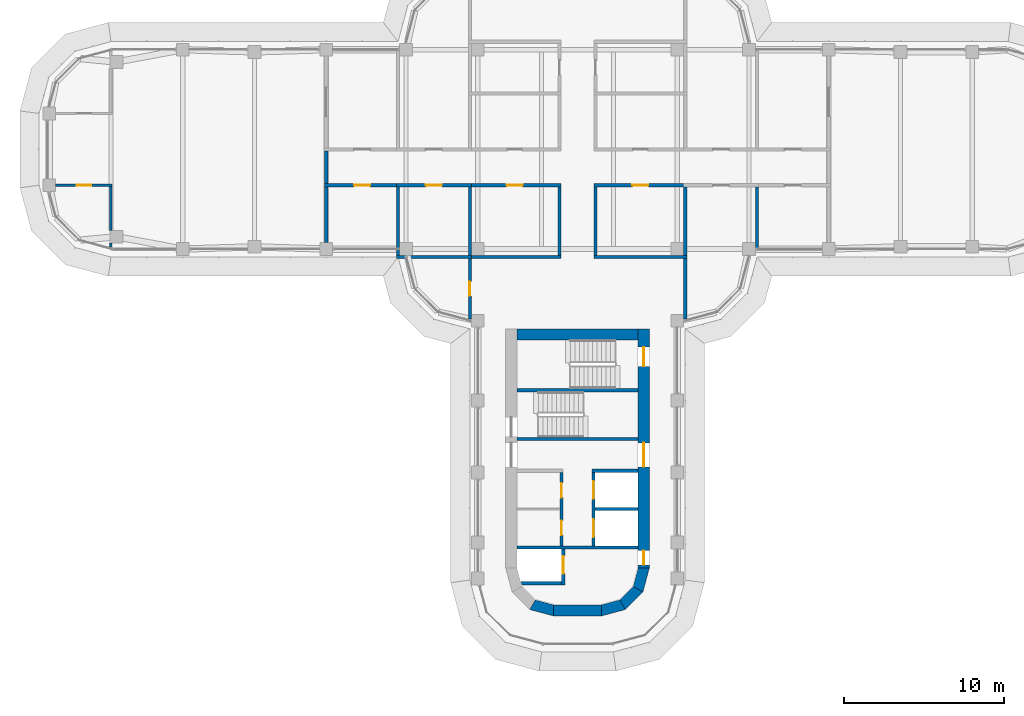
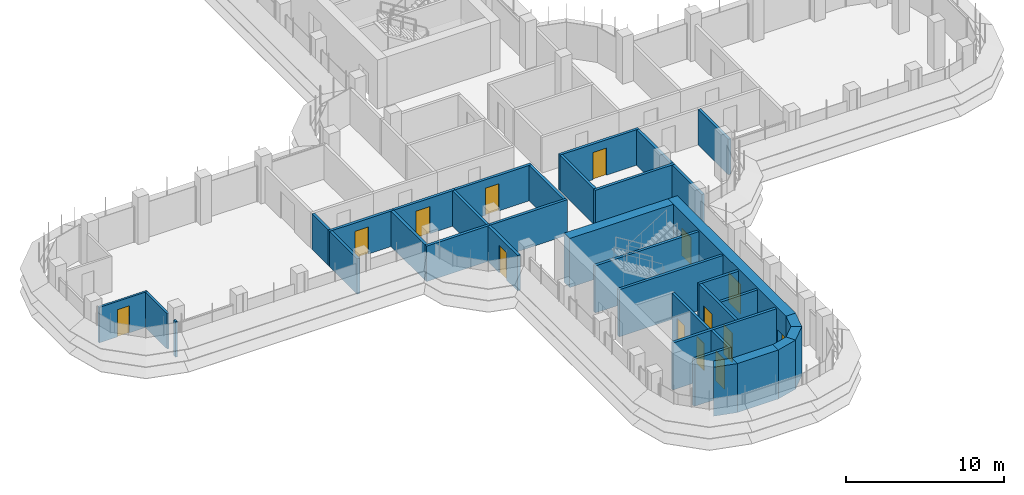
# One storey, part 13 of 19: 36 walls, 14 doors, 14 openings.
"""IFC4 building model written with IfcOpenShell, lengths in metres."""

import ifcopenshell
import ifcopenshell.guid

model = None  # the IFC model being written
_history = None  # IfcOwnerHistory: only IFC2X3 demands one
_inside = {}  # id of a spatial element -> (the spatial element, [elements in it])
_under = {}  # id of a project, library or spatial element -> (it, [spatial elements below it])
_declared = {}  # id of a project -> (the project, [libraries it declares])
_typed = {}  # id of a type object -> (the type object, [elements of that type])
_made_of = {}  # id of a material, layer set ... -> (it, [elements and type objects made of it])


def new_model(schema):
    """Start an empty IFC model of exactly this schema.

    Asked for "IFC4X3", IfcOpenShell would pick the latest addendum, in which some entities
    have other attributes; the version numbers below select the first issue.
    IFC2X3 requires an IfcOwnerHistory on every rooted entity: one is made here for all.
    """
    global model, _history
    if schema == "IFC4X3":
        model = ifcopenshell.file(schema_version=(4, 3, 0, 0))
    else:
        model = ifcopenshell.file(schema=schema)
    _inside.clear()
    _under.clear()
    _declared.clear()
    _typed.clear()
    _made_of.clear()
    _history = None
    if model.schema == "IFC2X3":
        org = make("IfcOrganization", Name="unknown")
        user = make(
            "IfcPersonAndOrganization",
            ThePerson=make("IfcPerson", FamilyName="unknown"),
            TheOrganization=org,
        )
        app = make(
            "IfcApplication",
            ApplicationDeveloper=org,
            Version="unknown",
            ApplicationFullName="unknown",
            ApplicationIdentifier="unknown",
        )
        _history = make(
            "IfcOwnerHistory",
            OwningUser=user,
            OwningApplication=app,
            ChangeAction="ADDED",
            CreationDate=0,
        )
    return model


def make(cls, **values):
    """One entity of the class cls with the attributes given. An attribute that is None is left unset."""
    return model.create_entity(
        cls, **{name: value for name, value in values.items() if value is not None}
    )


def rooted(cls, **values):
    """An entity with a GlobalId (a new one), such as an element, a storey or a relation."""
    return make(cls, GlobalId=ifcopenshell.guid.new(), OwnerHistory=_history, **values)


def si_unit(unit_type, name, prefix=None):
    """IfcSIUnit, for example si_unit("LENGTHUNIT", "METRE", prefix="MILLI")."""
    return make("IfcSIUnit", UnitType=unit_type, Prefix=prefix, Name=name)


def assignment(units):
    """IfcUnitAssignment: the units of a project."""
    return None if units is None else make("IfcUnitAssignment", Units=units)


def point(xyz):
    """IfcCartesianPoint."""
    return None if xyz is None else make("IfcCartesianPoint", Coordinates=xyz)


def direction(xyz):
    """IfcDirection."""
    return None if xyz is None else make("IfcDirection", DirectionRatios=xyz)


def frame(location, z_axis=None, x_axis=None):
    """IfcAxis2Placement3D, a coordinate frame: its origin and axes. An axis left out is left unset."""
    return make(
        "IfcAxis2Placement3D",
        Location=point(location),
        Axis=direction(z_axis),
        RefDirection=direction(x_axis),
    )


def frame_2d(location, x_axis=None):
    """IfcAxis2Placement2D, a coordinate frame in the plane: its origin and x axis."""
    return make(
        "IfcAxis2Placement2D", Location=point(location), RefDirection=direction(x_axis)
    )


def origin():
    """The frame at (0, 0, 0) with its axes left unset."""
    return frame((0.0, 0.0, 0.0))


def place(relative_to, where):
    """IfcLocalPlacement: puts the frame where relative to a parent placement (None: the world)."""
    return make(
        "IfcLocalPlacement", PlacementRelTo=relative_to, RelativePlacement=where
    )


def context(
    kind, dimensions, precision=None, world=None, true_north=None, identifier=None
):
    """IfcGeometricRepresentationContext, for example the 3D "Model" context."""
    return make(
        "IfcGeometricRepresentationContext",
        ContextIdentifier=identifier,
        ContextType=kind,
        CoordinateSpaceDimension=dimensions,
        Precision=precision,
        WorldCoordinateSystem=world,
        TrueNorth=true_north,
    )


def subcontext(parent, identifier, kind, view, scale=None):
    """IfcGeometricRepresentationSubContext, for example "Body" below "Model"."""
    return make(
        "IfcGeometricRepresentationSubContext",
        ContextIdentifier=identifier,
        ContextType=kind,
        ParentContext=parent,
        TargetScale=scale,
        TargetView=view,
    )


def project(units=None, contexts=None):
    """IfcProject with its units and contexts."""
    return rooted(
        "IfcProject",
        Name="project",
        RepresentationContexts=contexts,
        UnitsInContext=assignment(units),
    )


def spatial(cls, under=None, at=None, **own):
    """A site, building, storey or space (cls), placed at a placement, below another one or the project."""
    s = rooted(cls, ObjectPlacement=at, **own)
    if under is not None:
        _under.setdefault(under.id(), (under, []))[1].append(s)
    return s


def polyline(points):
    """IfcPolyline through the points."""
    return make("IfcPolyline", Points=[point(p) for p in points])


def profile(cls, at=None, kind="AREA", **sizes):
    """A parametric profile (cls). Its sizes go by their IFC names, for example OverallWidth=200.0."""
    return make(cls, ProfileType=kind, Position=at, **sizes)


def rectangle(**sizes):
    """IfcRectangleProfileDef."""
    return profile("IfcRectangleProfileDef", **sizes)


def outline(outer, holes=None, kind="AREA"):
    """IfcArbitraryClosedProfileDef: a profile drawn as a closed curve; with holes, ...WithVoids."""
    if holes is None:
        return make("IfcArbitraryClosedProfileDef", ProfileType=kind, OuterCurve=outer)
    return make(
        "IfcArbitraryProfileDefWithVoids",
        ProfileType=kind,
        OuterCurve=outer,
        InnerCurves=holes,
    )


def extrude(swept, where, along, depth):
    """IfcExtrudedAreaSolid: the profile swept, set in the frame where, extruded along a direction by depth."""
    return make(
        "IfcExtrudedAreaSolid",
        SweptArea=swept,
        Position=where,
        ExtrudedDirection=direction(along),
        Depth=depth,
    )


def shape(context_of_items, identifier, shape_type, items):
    """IfcShapeRepresentation: the items that make up one representation, for example the "Body"."""
    return make(
        "IfcShapeRepresentation",
        ContextOfItems=context_of_items,
        RepresentationIdentifier=identifier,
        RepresentationType=shape_type,
        Items=items,
    )


def material(Name=None, Category=None):
    """IfcMaterial."""
    return make("IfcMaterial", Name=Name, Category=Category)


def layer(
    of_material, thickness, ventilated=None, Name=None, Category=None, Priority=None
):
    """IfcMaterialLayer: one layer of a wall or slab, of a material (None: an air gap)."""
    return make(
        "IfcMaterialLayer",
        Material=of_material,
        LayerThickness=thickness,
        IsVentilated=ventilated,
        Name=Name,
        Category=Category,
        Priority=Priority,
    )


def layer_set(layers, Name=None):
    """IfcMaterialLayerSet."""
    return make("IfcMaterialLayerSet", MaterialLayers=layers, LayerSetName=Name)


def made_of(thing, what):
    """Note that an element or type object is made of a material, layer set ...; save() writes the relation."""
    if what is not None:
        _made_of.setdefault(what.id(), (what, []))[1].append(thing)
    return thing


def type_object(cls, material=None, **own):
    """A type object (cls), such as IfcWallType, which elements share."""
    return made_of(rooted(cls, **own), material)


def element(
    cls,
    number,
    at=None,
    inside=None,
    cuts=None,
    type_object=None,
    material=None,
    context=None,
    identifier="Body",
    shape_type=None,
    held_by="IfcProductDefinitionShape",
    body=None,
    shapes=None,
    **own,
):
    """One element of the class cls, such as IfcWall. Its Tag is "e" and its number.

    at: its placement. inside: the storey or other place that contains it. cuts: it is an
    opening in that element (IfcRelVoidsElement). A single representation is given by context,
    identifier, shape_type and body (its items); several are given by shapes. held_by: the class
    of the entity that holds the representations. save() writes the other relations.
    """
    e = rooted(cls, Tag="e%d" % number, ObjectPlacement=at, **own)
    if body is not None:
        shapes = [shape(context, identifier, shape_type, body)]
    if shapes is not None:
        e.Representation = make(held_by, Representations=shapes)
    if inside is not None:
        _inside.setdefault(inside.id(), (inside, []))[1].append(e)
    if cuts is not None:
        rooted(
            "IfcRelVoidsElement", RelatingBuildingElement=cuts, RelatedOpeningElement=e
        )
    if type_object is not None:
        _typed.setdefault(type_object.id(), (type_object, []))[1].append(e)
    return made_of(e, material)


def fill(opening, filler):
    """IfcRelFillsElement: the door or window that sits in an opening."""
    return rooted(
        "IfcRelFillsElement",
        RelatingOpeningElement=opening,
        RelatedBuildingElement=filler,
    )


def aggregate(whole, parts):
    """IfcRelAggregates: a whole, such as a stair, and the parts it consists of."""
    return rooted("IfcRelAggregates", RelatingObject=whole, RelatedObjects=parts)


def save(model, path):
    """Write the relations noted so far, then the file.

    IfcRelAggregates (storeys below a building ...), IfcRelContainedInSpatialStructure (elements
    in a storey), IfcRelDefinesByType, IfcRelAssociatesMaterial and IfcRelDeclares: one each for
    every whole, place, type object, material and project.
    """
    for whole, parts in _under.values():
        aggregate(whole, parts)
    for where, things in _inside.values():
        rooted(
            "IfcRelContainedInSpatialStructure",
            RelatedElements=things,
            RelatingStructure=where,
        )
    for kind, things in _typed.values():
        rooted("IfcRelDefinesByType", RelatedObjects=things, RelatingType=kind)
    for what, things in _made_of.values():
        rooted("IfcRelAssociatesMaterial", RelatedObjects=things, RelatingMaterial=what)
    for by, libraries in _declared.values():
        rooted("IfcRelDeclares", RelatingContext=by, RelatedDefinitions=libraries)
    model.write(path)


model = new_model("IFC4")

# Units and contexts
model_context = context("Model", 3, precision=1e-05, world=origin(), true_north=direction((0.0, 1.0)))
body_context = subcontext(model_context, "Body", "Model", "MODEL_VIEW")
ifc_project = project(units=[si_unit("LENGTHUNIT", "METRE"), si_unit("AREAUNIT", "SQUARE_METRE"), si_unit("VOLUMEUNIT", "CUBIC_METRE"), si_unit("PLANEANGLEUNIT", "RADIAN"), si_unit("MASSUNIT", "GRAM", prefix="KILO")], contexts=[model_context])

# Site, building, storey
site_placement = place(None, origin())
site = spatial("IfcSite", under=ifc_project, at=site_placement, CompositionType="ELEMENT")
building_placement = place(site_placement, origin())
building = spatial("IfcBuilding", under=site, at=building_placement, Name="Zarbagh Exchange Tower", CompositionType="ELEMENT")
storey_placement = place(building_placement, frame((0.0, 0.0, 160.0)))
storey = spatial("IfcBuildingStorey", under=building, at=storey_placement, Name="L38", CompositionType="ELEMENT", Elevation=160.0)

# Walls
ifc_material_1 = material(Name="Plasterboard partition")
ifc_layer_1 = layer(ifc_material_1, 0.14990234375)
ifc_layer_set_1 = layer_set([ifc_layer_1], Name="PARTITION 150")
wall_type_1 = type_object("IfcWallType", Name="PARTITION 150", PredefinedType="PARTITIONING", material=ifc_layer_set_1)
wall_1_placement = place(storey_placement, frame((-29.25, -6.1298828125, 0.0), z_axis=(0.0, 0.0, 1.0), x_axis=(0.0, 1.0, 0.0)))
element("IfcWall", 1, at=wall_1_placement, inside=storey, type_object=wall_type_1, Name="Partition W-1749", PredefinedType="PARTITIONING", context=body_context, shape_type="SweptSolid", body=[
    extrude(rectangle(XDim=0.2548828125, YDim=0.14990234375, at=frame_2d((0.12744140625, 0.0))), origin(), (0.0, 0.0, 1.0), 2.75),
])
wall_2_placement = place(storey_placement, frame((-29.25, -5.074951171875, 0.0), z_axis=(0.0, 0.0, 1.0), x_axis=(0.0, 1.0, 0.0)))
element("IfcWall", 2, at=wall_2_placement, inside=storey, type_object=wall_type_1, Name="Partition W-1750", PredefinedType="PARTITIONING", context=body_context, shape_type="SweptSolid", body=[
    extrude(rectangle(XDim=2.75, YDim=0.14990234375, at=frame_2d((1.375, 0.0))), origin(), (0.0, 0.0, 1.0), 2.75),
])

# Wall, opening, door
wall_3_placement = place(storey_placement, frame((-29.175048828125, -2.25, 0.0), z_axis=(0.0, 0.0, 1.0), x_axis=(-1.0, 0.0, 0.0)))
wall_3 = element("IfcWall", 3, at=wall_3_placement, inside=storey, type_object=wall_type_1, Name="Partition W-1751", PredefinedType="PARTITIONING", context=body_context, shape_type="SweptSolid", body=[
    extrude(rectangle(XDim=3.534912109375, YDim=0.14990234375, at=frame_2d((1.767578125, 0.0))), origin(), (0.0, 0.0, 1.0), 2.75),
])
opening_1_placement = place(wall_3_placement, frame((1.3173828125, 0.0, 0.0)))
opening_1 = element("IfcOpeningElement", 4, at=opening_1_placement, cuts=wall_3, Name="Opening D-1716", PredefinedType="OPENING", context=body_context, shape_type="SweptSolid", body=[
    extrude(rectangle(XDim=0.89990234375, YDim=2.10009765625, at=frame_2d((0.449951171875, 1.050048828125))), frame((0.0, 0.0849609375, 0.0), z_axis=(0.0, -1.0, 0.0), x_axis=(1.0, 0.0, 0.0)), (0.0, 0.0, 1.0), 0.169921875),
])
ifc_material_2 = material(Name="Timber door leaf", Category="wood")
door_type_1 = type_object("IfcDoorType", Name="DOOR 900 X 2100", OperationType="NOTDEFINED", PredefinedType="DOOR", material=ifc_material_2)
door_1_placement = place(opening_1_placement, origin())
door_1 = element("IfcDoor", 5, at=door_1_placement, inside=storey, type_object=door_type_1, Name="Door D-1716", OperationType="SINGLE_SWING_RIGHT", OverallHeight=2.10009765625, OverallWidth=0.89990234375, PredefinedType="DOOR", context=body_context, shape_type="SweptSolid", body=[
    extrude(rectangle(XDim=0.89990234375, YDim=2.10009765625, at=frame_2d((0.449951171875, 1.050048828125))), frame((0.0, 0.02490234375, 0.0), z_axis=(0.0, -1.0, 0.0), x_axis=(1.0, 0.0, 0.0)), (0.0, 0.0, 1.0), 0.050048828125),
])
fill(opening_1, door_1)

ifc_material_3 = material(Name="Fire-rated plasterboard partition")
ifc_layer_2 = layer(ifc_material_3, 0.199951171875)
ifc_layer_set_2 = layer_set([ifc_layer_2], Name="RATED PARTITION 200")
wall_type_2 = type_object("IfcWallType", Name="RATED PARTITION 200", PredefinedType="PARTITIONING", material=ifc_layer_set_2)
wall_4_placement = place(storey_placement, frame((6.85009765625, -2.25, 0.0), z_axis=(0.0, 0.0, 1.0), x_axis=(-1.0, 0.0, 0.0)))
wall_4 = element("IfcWall", 6, at=wall_4_placement, inside=storey, type_object=wall_type_2, Name="Partition W-1705", PredefinedType="PARTITIONING", context=body_context, shape_type="SweptSolid", body=[
    extrude(rectangle(XDim=5.8251953125, YDim=0.199951171875, at=frame_2d((2.91259765625, 0.0))), origin(), (0.0, 0.0, 1.0), 2.75),
])
opening_2_placement = place(wall_4_placement, frame((2.41259765625, 0.0, 0.0)))
opening_2 = element("IfcOpeningElement", 7, at=opening_2_placement, cuts=wall_4, Name="Opening D-1710", PredefinedType="OPENING", context=body_context, shape_type="SweptSolid", body=[
    extrude(rectangle(XDim=1.0, YDim=2.10009765625, at=frame_2d((0.5, 1.050048828125))), frame((0.0, 0.10986328125, 0.0), z_axis=(0.0, -1.0, 0.0), x_axis=(1.0, 0.0, 0.0)), (0.0, 0.0, 1.0), 0.219970703125),
])
ifc_material_4 = material(Name="Steel door set", Category="steel")
door_type_2 = type_object("IfcDoorType", Name="FIRE DOOR 1000 X 2100 FD30S", OperationType="NOTDEFINED", PredefinedType="DOOR", material=ifc_material_4)
door_2_placement = place(opening_2_placement, origin())
door_2 = element("IfcDoor", 8, at=door_2_placement, inside=storey, type_object=door_type_2, Name="Door D-1710", OperationType="SINGLE_SWING_RIGHT", OverallHeight=2.10009765625, OverallWidth=1.0, PredefinedType="DOOR", context=body_context, shape_type="SweptSolid", body=[
    extrude(rectangle(XDim=1.0, YDim=2.10009765625, at=frame_2d((0.5, 1.050048828125))), frame((0.0, 0.02490234375, 0.0), z_axis=(0.0, -1.0, 0.0), x_axis=(1.0, 0.0, 0.0)), (0.0, 0.0, 1.0), 0.050048828125),
])
fill(opening_2, door_2)

wall_5_placement = place(storey_placement, frame((-1.02490234375, -2.25, 0.0), z_axis=(0.0, 0.0, 1.0), x_axis=(-1.0, 0.0, 0.0)))
wall_5 = element("IfcWall", 9, at=wall_5_placement, inside=storey, type_object=wall_type_2, Name="Partition W-1707", PredefinedType="PARTITIONING", context=body_context, shape_type="SweptSolid", body=[
    extrude(rectangle(XDim=5.8251953125, YDim=0.199951171875, at=frame_2d((2.91259765625, 0.0))), origin(), (0.0, 0.0, 1.0), 2.75),
])
opening_3_placement = place(wall_5_placement, frame((2.41259765625, 0.0, 0.0)))
opening_3 = element("IfcOpeningElement", 10, at=opening_3_placement, cuts=wall_5, Name="Opening D-1712", PredefinedType="OPENING", context=body_context, shape_type="SweptSolid", body=[
    extrude(rectangle(XDim=1.0, YDim=2.10009765625, at=frame_2d((0.5, 1.050048828125))), frame((0.0, 0.10986328125, 0.0), z_axis=(0.0, -1.0, 0.0), x_axis=(1.0, 0.0, 0.0)), (0.0, 0.0, 1.0), 0.219970703125),
])
door_3_placement = place(opening_3_placement, origin())
door_3 = element("IfcDoor", 11, at=door_3_placement, inside=storey, type_object=door_type_2, Name="Door D-1712", OperationType="SINGLE_SWING_RIGHT", OverallHeight=2.10009765625, OverallWidth=1.0, PredefinedType="DOOR", context=body_context, shape_type="SweptSolid", body=[
    extrude(rectangle(XDim=1.0, YDim=2.10009765625, at=frame_2d((0.5, 1.050048828125))), frame((0.0, 0.02490234375, 0.0), z_axis=(0.0, -1.0, 0.0), x_axis=(1.0, 0.0, 0.0)), (0.0, 0.0, 1.0), 0.050048828125),
])
fill(opening_3, door_3)

wall_6_placement = place(storey_placement, frame((-6.64990234375, -2.25, 0.0), z_axis=(0.0, 0.0, 1.0), x_axis=(-1.0, 0.0, 0.0)))
wall_6 = element("IfcWall", 12, at=wall_6_placement, inside=storey, type_object=wall_type_2, Name="Partition W-1708", PredefinedType="PARTITIONING", context=body_context, shape_type="SweptSolid", body=[
    extrude(rectangle(XDim=4.7001953125, YDim=0.199951171875, at=frame_2d((2.35009765625, 0.0))), origin(), (0.0, 0.0, 1.0), 2.75),
])
opening_4_placement = place(wall_6_placement, frame((1.85009765625, 0.0, 0.0)))
opening_4 = element("IfcOpeningElement", 13, at=opening_4_placement, cuts=wall_6, Name="Opening D-1713", PredefinedType="OPENING", context=body_context, shape_type="SweptSolid", body=[
    extrude(rectangle(XDim=1.0, YDim=2.10009765625, at=frame_2d((0.5, 1.050048828125))), frame((0.0, 0.10986328125, 0.0), z_axis=(0.0, -1.0, 0.0), x_axis=(1.0, 0.0, 0.0)), (0.0, 0.0, 1.0), 0.219970703125),
])
door_4_placement = place(opening_4_placement, origin())
door_4 = element("IfcDoor", 14, at=door_4_placement, inside=storey, type_object=door_type_2, Name="Door D-1713", OperationType="SINGLE_SWING_RIGHT", OverallHeight=2.10009765625, OverallWidth=1.0, PredefinedType="DOOR", context=body_context, shape_type="SweptSolid", body=[
    extrude(rectangle(XDim=1.0, YDim=2.10009765625, at=frame_2d((0.5, 1.050048828125))), frame((0.0, 0.02490234375, 0.0), z_axis=(0.0, -1.0, 0.0), x_axis=(1.0, 0.0, 0.0)), (0.0, 0.0, 1.0), 0.050048828125),
])
fill(opening_4, door_4)

wall_7_placement = place(storey_placement, frame((-11.14990234375, -2.25, 0.0), z_axis=(0.0, 0.0, 1.0), x_axis=(-1.0, 0.0, 0.0)))
wall_7 = element("IfcWall", 15, at=wall_7_placement, inside=storey, type_object=wall_type_2, Name="Partition W-1713", PredefinedType="PARTITIONING", context=body_context, shape_type="SweptSolid", body=[
    extrude(rectangle(XDim=4.7001953125, YDim=0.199951171875, at=frame_2d((2.35009765625, 0.0))), origin(), (0.0, 0.0, 1.0), 2.75),
])
opening_5_placement = place(wall_7_placement, frame((1.85009765625, 0.0, 0.0)))
opening_5 = element("IfcOpeningElement", 16, at=opening_5_placement, cuts=wall_7, Name="Opening D-1719", PredefinedType="OPENING", context=body_context, shape_type="SweptSolid", body=[
    extrude(rectangle(XDim=1.0, YDim=2.10009765625, at=frame_2d((0.5, 1.050048828125))), frame((0.0, 0.10986328125, 0.0), z_axis=(0.0, -1.0, 0.0), x_axis=(1.0, 0.0, 0.0)), (0.0, 0.0, 1.0), 0.219970703125),
])
door_5_placement = place(opening_5_placement, origin())
door_5 = element("IfcDoor", 17, at=door_5_placement, inside=storey, type_object=door_type_2, Name="Door D-1719", OperationType="SINGLE_SWING_RIGHT", OverallHeight=2.10009765625, OverallWidth=1.0, PredefinedType="DOOR", context=body_context, shape_type="SweptSolid", body=[
    extrude(rectangle(XDim=1.0, YDim=2.10009765625, at=frame_2d((0.5, 1.050048828125))), frame((0.0, 0.02490234375, 0.0), z_axis=(0.0, -1.0, 0.0), x_axis=(1.0, 0.0, 0.0)), (0.0, 0.0, 1.0), 0.050048828125),
])
fill(opening_5, door_5)

# Walls
wall_8_placement = place(storey_placement, frame((-15.75, -2.14990234375, 0.0), z_axis=(0.0, 0.0, 1.0), x_axis=(0.0, 1.0, 0.0)))
element("IfcWall", 18, at=wall_8_placement, inside=storey, type_object=wall_type_2, Name="Partition W-1714", PredefinedType="PARTITIONING", context=body_context, shape_type="SweptSolid", body=[
    extrude(rectangle(XDim=2.0498046875, YDim=0.199951171875, at=frame_2d((1.02490234375, 0.0))), origin(), (0.0, 0.0, 1.0), 2.75),
])
for number, where, z_axis, x_axis, name in (
    (19, (1.125, -6.64990234375, 0.0), (0.0, 0.0, 1.0), (0.0, 1.0, 0.0), "Partition W-1719"),
    (20, (-1.125, -6.64990234375, 0.0), (0.0, 0.0, 1.0), (0.0, 1.0, 0.0), "Partition W-1720"),
):
    element("IfcWall", number, at=place(storey_placement, frame(where, z_axis=z_axis, x_axis=x_axis)), inside=storey, type_object=wall_type_2, Name=name, PredefinedType="PARTITIONING", context=body_context, shape_type="SweptSolid", body=[
        extrude(rectangle(XDim=4.2998046875, YDim=0.199951171875, at=frame_2d((2.14990234375, 0.0))), origin(), (0.0, 0.0, 1.0), 2.75),
    ])
wall_9_placement = place(storey_placement, frame((1.02490234375, -6.75, 0.0), z_axis=(0.0, 0.0, 1.0), x_axis=(1.0, 0.0, 0.0)))
element("IfcWall", 21, at=wall_9_placement, inside=storey, type_object=wall_type_2, Name="Partition W-1725", PredefinedType="PARTITIONING", context=body_context, shape_type="SweptSolid", body=[
    extrude(rectangle(XDim=5.8251953125, YDim=0.199951171875, at=frame_2d((2.91259765625, 0.0))), origin(), (0.0, 0.0, 1.0), 2.75),
])
wall_10_placement = place(storey_placement, frame((6.75, -10.6298828125, 0.0), z_axis=(0.0, 0.0, 1.0), x_axis=(0.0, 1.0, 0.0)))
element("IfcWall", 22, at=wall_10_placement, inside=storey, type_object=wall_type_2, Name="Partition W-1726", PredefinedType="PARTITIONING", context=body_context, shape_type="SweptSolid", body=[
    extrude(rectangle(XDim=3.77978515625, YDim=0.199951171875, at=frame_2d((1.889892578125, 0.0))), origin(), (0.0, 0.0, 1.0), 2.75),
])
wall_11_placement = place(storey_placement, frame((-6.85009765625, -6.75, 0.0), z_axis=(0.0, 0.0, 1.0), x_axis=(1.0, 0.0, 0.0)))
element("IfcWall", 23, at=wall_11_placement, inside=storey, type_object=wall_type_2, Name="Partition W-1727", PredefinedType="PARTITIONING", context=body_context, shape_type="SweptSolid", body=[
    extrude(rectangle(XDim=5.8251953125, YDim=0.199951171875, at=frame_2d((2.91259765625, 0.0))), origin(), (0.0, 0.0, 1.0), 2.75),
])

# Wall, opening, door
wall_12_placement = place(storey_placement, frame((-6.75, -10.6298828125, 0.0), z_axis=(0.0, 0.0, 1.0), x_axis=(0.0, 1.0, 0.0)))
wall_12 = element("IfcWall", 24, at=wall_12_placement, inside=storey, type_object=wall_type_2, Name="Partition W-1728", PredefinedType="PARTITIONING", context=body_context, shape_type="SweptSolid", body=[
    extrude(rectangle(XDim=3.77978515625, YDim=0.199951171875, at=frame_2d((1.889892578125, 0.0))), origin(), (0.0, 0.0, 1.0), 2.75),
])
opening_6_placement = place(wall_12_placement, frame((1.43994140625, 0.0, 0.0)))
opening_6 = element("IfcOpeningElement", 25, at=opening_6_placement, cuts=wall_12, Name="Opening D-1714", PredefinedType="OPENING", context=body_context, shape_type="SweptSolid", body=[
    extrude(rectangle(XDim=0.89990234375, YDim=2.10009765625, at=frame_2d((0.449951171875, 1.050048828125))), frame((0.0, 0.10986328125, 0.0), z_axis=(0.0, -1.0, 0.0), x_axis=(1.0, 0.0, 0.0)), (0.0, 0.0, 1.0), 0.219970703125),
])
door_6_placement = place(opening_6_placement, origin())
door_6 = element("IfcDoor", 26, at=door_6_placement, inside=storey, type_object=door_type_1, Name="Door D-1714", OperationType="SINGLE_SWING_RIGHT", OverallHeight=2.10009765625, OverallWidth=0.89990234375, PredefinedType="DOOR", context=body_context, shape_type="SweptSolid", body=[
    extrude(rectangle(XDim=0.89990234375, YDim=2.10009765625, at=frame_2d((0.449951171875, 1.050048828125))), frame((0.0, 0.02490234375, 0.0), z_axis=(0.0, -1.0, 0.0), x_axis=(1.0, 0.0, 0.0)), (0.0, 0.0, 1.0), 0.050048828125),
])
fill(opening_6, door_6)

# Walls
wall_13_placement = place(storey_placement, frame((6.75, -6.64990234375, 0.0), z_axis=(0.0, 0.0, 1.0), x_axis=(0.0, 1.0, 0.0)))
element("IfcWall", 27, at=wall_13_placement, inside=storey, type_object=wall_type_2, Name="Partition W-1737", PredefinedType="PARTITIONING", context=body_context, shape_type="SweptSolid", body=[
    extrude(rectangle(XDim=4.2998046875, YDim=0.199951171875, at=frame_2d((2.14990234375, 0.0))), origin(), (0.0, 0.0, 1.0), 2.75),
])
wall_14_placement = place(storey_placement, frame((11.25, -6.169921875, 0.0), z_axis=(0.0, 0.0, 1.0), x_axis=(0.0, 1.0, 0.0)))
element("IfcWall", 28, at=wall_14_placement, inside=storey, type_object=wall_type_2, Name="Partition W-1738", PredefinedType="PARTITIONING", context=body_context, shape_type="SweptSolid", body=[
    extrude(rectangle(XDim=3.81982421875, YDim=0.199951171875, at=frame_2d((1.909912109375, 0.0))), origin(), (0.0, 0.0, 1.0), 2.75),
])
wall_15_placement = place(storey_placement, frame((-6.75, -6.64990234375, 0.0), z_axis=(0.0, 0.0, 1.0), x_axis=(0.0, 1.0, 0.0)))
element("IfcWall", 29, at=wall_15_placement, inside=storey, type_object=wall_type_2, Name="Partition W-1739", PredefinedType="PARTITIONING", context=body_context, shape_type="SweptSolid", body=[
    extrude(rectangle(XDim=4.2998046875, YDim=0.199951171875, at=frame_2d((2.14990234375, 0.0))), origin(), (0.0, 0.0, 1.0), 2.75),
])
wall_16_placement = place(storey_placement, frame((-11.35009765625, -6.75, 0.0), z_axis=(0.0, 0.0, 1.0), x_axis=(1.0, 0.0, 0.0)))
element("IfcWall", 30, at=wall_16_placement, inside=storey, type_object=wall_type_2, Name="Partition W-1740", PredefinedType="PARTITIONING", context=body_context, shape_type="SweptSolid", body=[
    extrude(rectangle(XDim=4.7001953125, YDim=0.199951171875, at=frame_2d((2.35009765625, 0.0))), origin(), (0.0, 0.0, 1.0), 2.75),
])
wall_17_placement = place(storey_placement, frame((-11.25, -6.64990234375, 0.0), z_axis=(0.0, 0.0, 1.0), x_axis=(0.0, 1.0, 0.0)))
element("IfcWall", 31, at=wall_17_placement, inside=storey, type_object=wall_type_2, Name="Partition W-1741", PredefinedType="PARTITIONING", context=body_context, shape_type="SweptSolid", body=[
    extrude(rectangle(XDim=4.2998046875, YDim=0.199951171875, at=frame_2d((2.14990234375, 0.0))), origin(), (0.0, 0.0, 1.0), 2.75),
])
wall_18_placement = place(storey_placement, frame((-15.75, -5.85009765625, 0.0), z_axis=(0.0, 0.0, 1.0), x_axis=(0.0, 1.0, 0.0)))
element("IfcWall", 32, at=wall_18_placement, inside=storey, type_object=wall_type_2, Name="Partition W-1745", PredefinedType="PARTITIONING", context=body_context, shape_type="SweptSolid", body=[
    extrude(rectangle(XDim=3.5, YDim=0.199951171875, at=frame_2d((1.75, 0.0))), origin(), (0.0, 0.0, 1.0), 2.75),
])
ifc_material_5 = material(Name="Concrete C50/60", Category="concrete")
ifc_layer_3 = layer(ifc_material_5, 0.699951171875)
ifc_layer_set_3 = layer_set([ifc_layer_3], Name="RC core corner wall 700 C50/60")
wall_type_3 = type_object("IfcWallType", Name="RC core corner wall 700 C50/60", PredefinedType="SHEAR", material=ifc_layer_set_3)
wall_19_placement = place(storey_placement, origin())
element("IfcWall", 33, at=wall_19_placement, inside=storey, type_object=wall_type_3, Name="CW6 core S corner W", PredefinedType="SHEAR", context=body_context, shape_type="SweptSolid", body=[
    extrude(outline(polyline([(-3.0, -28.84814453125), (-1.5, -29.25), (-1.5, -28.550048828125), (-2.64990234375, -28.241943359375), (-3.0, -28.84814453125)])), origin(), (0.0, 0.0, 1.0), 3.800048828125),
])
wall_20_placement = place(storey_placement, origin())
element("IfcWall", 34, at=wall_20_placement, inside=storey, type_object=wall_type_3, Name="CW6 core S corner E", PredefinedType="SHEAR", context=body_context, shape_type="SweptSolid", body=[
    extrude(outline(polyline([(4.5, -26.25), (4.09814453125, -27.75), (3.491943359375, -27.39990234375), (3.800048828125, -26.25), (4.5, -26.25)])), origin(), (0.0, 0.0, 1.0), 3.800048828125),
])
wall_21_placement = place(storey_placement, origin())
element("IfcWall", 35, at=wall_21_placement, inside=storey, type_object=wall_type_3, Name="CW6 core S corner E", PredefinedType="SHEAR", context=body_context, shape_type="SweptSolid", body=[
    extrude(outline(polyline([(4.09814453125, -27.75), (3.0, -28.84814453125), (2.64990234375, -28.241943359375), (3.491943359375, -27.39990234375), (4.09814453125, -27.75)])), origin(), (0.0, 0.0, 1.0), 3.800048828125),
])
wall_22_placement = place(storey_placement, origin())
element("IfcWall", 36, at=wall_22_placement, inside=storey, type_object=wall_type_3, Name="CW6 core S corner E", PredefinedType="SHEAR", context=body_context, shape_type="SweptSolid", body=[
    extrude(outline(polyline([(3.0, -28.84814453125), (1.5, -29.25), (1.5, -28.550048828125), (2.64990234375, -28.241943359375), (3.0, -28.84814453125)])), origin(), (0.0, 0.0, 1.0), 3.800048828125),
])

# Wall, openings, doors
ifc_layer_4 = layer(ifc_material_5, 0.699951171875)
ifc_layer_set_4 = layer_set([ifc_layer_4], Name="RC core wall 700 C50/60")
wall_type_4 = type_object("IfcWallType", Name="RC core wall 700 C50/60", PredefinedType="SHEAR", material=ifc_layer_set_4)
wall_23_placement = place(storey_placement, frame((4.14990234375, -11.25, 0.0), z_axis=(0.0, 0.0, 1.0), x_axis=(0.0, -1.0, 0.0)))
wall_23 = element("IfcWall", 37, at=wall_23_placement, inside=storey, type_object=wall_type_4, Name="CW5 core S E", PredefinedType="SHEAR", context=body_context, shape_type="SweptSolid", body=[
    extrude(rectangle(XDim=15.0, YDim=0.699951171875, at=frame_2d((7.5, 0.0))), origin(), (0.0, 0.0, 1.0), 3.800048828125),
])
opening_7_placement = place(wall_23_placement, frame((7.14990234375, 0.0, 0.0)))
opening_7 = element("IfcOpeningElement", 38, at=opening_7_placement, cuts=wall_23, Name="Opening CD1-1500", PredefinedType="OPENING", context=body_context, shape_type="SweptSolid", body=[
    extrude(rectangle(XDim=1.5, YDim=2.300048828125, at=frame_2d((0.75, 1.14990234375))), frame((0.0, 0.35986328125, 0.0), z_axis=(0.0, -1.0, 0.0), x_axis=(1.0, 0.0, 0.0)), (0.0, 0.0, 1.0), 0.719970703125),
])
opening_8_placement = place(wall_23_placement, frame((13.89990234375, 0.0, 0.0)))
opening_8 = element("IfcOpeningElement", 39, at=opening_8_placement, cuts=wall_23, Name="Opening CD2-900", PredefinedType="OPENING", context=body_context, shape_type="SweptSolid", body=[
    extrude(rectangle(XDim=0.89990234375, YDim=2.10009765625, at=frame_2d((0.449951171875, 1.050048828125))), frame((0.0, 0.35986328125, 0.0), z_axis=(0.0, -1.0, 0.0), x_axis=(1.0, 0.0, 0.0)), (0.0, 0.0, 1.0), 0.719970703125),
])
opening_9_placement = place(wall_23_placement, frame((1.14990234375, 0.0, 0.0)))
opening_9 = element("IfcOpeningElement", 40, at=opening_9_placement, cuts=wall_23, Name="Opening SD1-1200", PredefinedType="OPENING", context=body_context, shape_type="SweptSolid", body=[
    extrude(rectangle(XDim=1.199951171875, YDim=2.10009765625, at=frame_2d((0.60009765625, 1.050048828125))), frame((0.0, 0.35986328125, 0.0), z_axis=(0.0, -1.0, 0.0), x_axis=(1.0, 0.0, 0.0)), (0.0, 0.0, 1.0), 0.719970703125),
])
ifc_material_6 = material(Name="Steel", Category="steel")
door_type_3 = type_object("IfcDoorType", Name="Exit stair door 1200 x 2100", OperationType="NOTDEFINED", PredefinedType="DOOR", material=ifc_material_6)
door_7_placement = place(opening_9_placement, origin())
door_7 = element("IfcDoor", 41, at=door_7_placement, inside=storey, type_object=door_type_3, Name="South core stair door ST2", OperationType="SINGLE_SWING_RIGHT", OverallHeight=2.10009765625, OverallWidth=1.199951171875, PredefinedType="DOOR", context=body_context, shape_type="SweptSolid", body=[
    extrude(rectangle(XDim=1.199951171875, YDim=2.10009765625, at=frame_2d((0.60009765625, 1.050048828125))), frame((0.0, 0.02490234375, 0.0), z_axis=(0.0, -1.0, 0.0), x_axis=(1.0, 0.0, 0.0)), (0.0, 0.0, 1.0), 0.050048828125),
])
fill(opening_9, door_7)
door_type_4 = type_object("IfcDoorType", Name="Firefighting lobby door 900 x 2100", OperationType="NOTDEFINED", PredefinedType="DOOR", material=ifc_material_6)
door_8_placement = place(opening_8_placement, origin())
door_8 = element("IfcDoor", 42, at=door_8_placement, inside=storey, type_object=door_type_4, Name="South core firefighting lobby door FF-W", OperationType="SINGLE_SWING_LEFT", OverallHeight=2.10009765625, OverallWidth=0.89990234375, PredefinedType="DOOR", context=body_context, shape_type="SweptSolid", body=[
    extrude(rectangle(XDim=0.89990234375, YDim=2.10009765625, at=frame_2d((0.449951171875, 1.050048828125))), frame((0.0, 0.02490234375, 0.0), z_axis=(0.0, -1.0, 0.0), x_axis=(1.0, 0.0, 0.0)), (0.0, 0.0, 1.0), 0.050048828125),
])
fill(opening_8, door_8)
door_type_5 = type_object("IfcDoorType", Name="Lift lobby double door 1500 x 2300", OperationType="NOTDEFINED", PredefinedType="DOOR", material=ifc_material_6)
door_9_placement = place(opening_7_placement, origin())
door_9 = element("IfcDoor", 43, at=door_9_placement, inside=storey, type_object=door_type_5, Name="South core lift lobby door LOBBY-W", OperationType="DOUBLE_DOOR_SINGLE_SWING", OverallHeight=2.300048828125, OverallWidth=1.5, PredefinedType="DOOR", context=body_context, shape_type="SweptSolid", body=[
    extrude(rectangle(XDim=1.5, YDim=2.300048828125, at=frame_2d((0.75, 1.14990234375))), frame((0.0, 0.02490234375, 0.0), z_axis=(0.0, -1.0, 0.0), x_axis=(1.0, 0.0, 0.0)), (0.0, 0.0, 1.0), 0.050048828125),
])
fill(opening_7, door_9)

# Walls
wall_24_placement = place(storey_placement, frame((-3.800048828125, -11.60009765625, 0.0), z_axis=(0.0, 0.0, 1.0), x_axis=(1.0, 0.0, 0.0)))
element("IfcWall", 44, at=wall_24_placement, inside=storey, type_object=wall_type_4, Name="CW5 core S inner end", PredefinedType="SHEAR", context=body_context, shape_type="SweptSolid", body=[
    extrude(rectangle(XDim=7.60009765625, YDim=0.699951171875, at=frame_2d((3.800048828125, 0.0))), origin(), (0.0, 0.0, 1.0), 3.800048828125),
])
wall_25_placement = place(storey_placement, frame((-1.5, -28.89990234375, 0.0), z_axis=(0.0, 0.0, 1.0), x_axis=(1.0, 0.0, 0.0)))
element("IfcWall", 45, at=wall_25_placement, inside=storey, type_object=wall_type_4, Name="CW5 core S outer end", PredefinedType="SHEAR", context=body_context, shape_type="SweptSolid", body=[
    extrude(rectangle(XDim=3.0, YDim=0.699951171875, at=frame_2d((1.5, 0.0))), origin(), (0.0, 0.0, 1.0), 3.800048828125),
])
ifc_material_7 = material(Name="Dense blockwork", Category="masonry")
ifc_layer_5 = layer(ifc_material_7, 0.199951171875)
ifc_layer_set_5 = layer_set([ifc_layer_5], Name="Shaft wall 200 mm blockwork")
wall_type_5 = type_object("IfcWallType", Name="Shaft wall 200 mm blockwork", PredefinedType="PARTITIONING", material=ifc_layer_set_5)
wall_26_placement = place(storey_placement, frame((3.800048828125, -20.14990234375, 0.0), z_axis=(0.0, 0.0, 1.0), x_axis=(-1.0, 0.0, 0.0)))
element("IfcWall", 46, at=wall_26_placement, inside=storey, type_object=wall_type_5, Name="South core shaft wall AB-W", PredefinedType="PARTITIONING", context=body_context, shape_type="SweptSolid", body=[
    extrude(rectangle(XDim=2.900146484375, YDim=0.199951171875, at=frame_2d((1.4501953125, 0.0))), origin(), (0.0, 0.0, 1.0), 3.64990234375),
])

# Wall, openings, doors
wall_27_placement = place(storey_placement, frame((1.0, -24.85009765625, 0.0), z_axis=(0.0, 0.0, 1.0), x_axis=(0.0, 1.0, 0.0)))
wall_27 = element("IfcWall", 47, at=wall_27_placement, inside=storey, type_object=wall_type_5, Name="South core shaft wall LW-W", PredefinedType="PARTITIONING", context=body_context, shape_type="SweptSolid", body=[
    extrude(rectangle(XDim=4.60009765625, YDim=0.199951171875, at=frame_2d((2.300048828125, 0.0))), origin(), (0.0, 0.0, 1.0), 3.64990234375),
])
opening_10_placement = place(wall_27_placement, frame((0.550048828125, 0.0, 0.0)))
opening_10 = element("IfcOpeningElement", 48, at=opening_10_placement, cuts=wall_27, Name="Opening LD-1100", PredefinedType="OPENING", context=body_context, shape_type="SweptSolid", body=[
    extrude(rectangle(XDim=1.10009765625, YDim=2.300048828125, at=frame_2d((0.550048828125, 1.14990234375))), frame((0.0, 0.10986328125, 0.0), z_axis=(0.0, -1.0, 0.0), x_axis=(1.0, 0.0, 0.0)), (0.0, 0.0, 1.0), 0.219970703125),
])
opening_11_placement = place(wall_27_placement, frame((2.949951171875, 0.0, 0.0)))
opening_11 = element("IfcOpeningElement", 49, at=opening_11_placement, cuts=wall_27, Name="Opening LD-1100", PredefinedType="OPENING", context=body_context, shape_type="SweptSolid", body=[
    extrude(rectangle(XDim=1.10009765625, YDim=2.300048828125, at=frame_2d((0.550048828125, 1.14990234375))), frame((0.0, 0.10986328125, 0.0), z_axis=(0.0, -1.0, 0.0), x_axis=(1.0, 0.0, 0.0)), (0.0, 0.0, 1.0), 0.219970703125),
])
ifc_material_8 = material(Name="Stainless steel", Category="steel")
door_type_6 = type_object("IfcDoorType", Name="Lift landing door 1100 x 2300", OperationType="NOTDEFINED", PredefinedType="DOOR", material=ifc_material_8)
door_10_placement = place(opening_10_placement, origin())
door_10 = element("IfcDoor", 50, at=door_10_placement, inside=storey, type_object=door_type_6, Name="South core lift landing door LD-P-S1", OperationType="DOUBLE_DOOR_SLIDING", OverallHeight=2.300048828125, OverallWidth=1.10009765625, PredefinedType="DOOR", context=body_context, shape_type="SweptSolid", body=[
    extrude(rectangle(XDim=1.10009765625, YDim=2.300048828125, at=frame_2d((0.550048828125, 1.14990234375))), frame((0.0, 0.02490234375, 0.0), z_axis=(0.0, -1.0, 0.0), x_axis=(1.0, 0.0, 0.0)), (0.0, 0.0, 1.0), 0.050048828125),
])
fill(opening_10, door_10)
door_11_placement = place(opening_11_placement, origin())
door_11 = element("IfcDoor", 51, at=door_11_placement, inside=storey, type_object=door_type_6, Name="South core lift landing door LD-P-S2", OperationType="DOUBLE_DOOR_SLIDING", OverallHeight=2.300048828125, OverallWidth=1.10009765625, PredefinedType="DOOR", context=body_context, shape_type="SweptSolid", body=[
    extrude(rectangle(XDim=1.10009765625, YDim=2.300048828125, at=frame_2d((0.550048828125, 1.14990234375))), frame((0.0, 0.02490234375, 0.0), z_axis=(0.0, -1.0, 0.0), x_axis=(1.0, 0.0, 0.0)), (0.0, 0.0, 1.0), 0.050048828125),
])
fill(opening_11, door_11)

wall_28_placement = place(storey_placement, frame((-1.0, -24.85009765625, 0.0), z_axis=(0.0, 0.0, 1.0), x_axis=(0.0, 1.0, 0.0)))
wall_28 = element("IfcWall", 52, at=wall_28_placement, inside=storey, type_object=wall_type_5, Name="South core shaft wall LW-E", PredefinedType="PARTITIONING", context=body_context, shape_type="SweptSolid", body=[
    extrude(rectangle(XDim=4.60009765625, YDim=0.199951171875, at=frame_2d((2.300048828125, 0.0))), origin(), (0.0, 0.0, 1.0), 3.64990234375),
])
opening_12_placement = place(wall_28_placement, frame((0.675048828125, 0.0, 0.0)))
opening_12 = element("IfcOpeningElement", 53, at=opening_12_placement, cuts=wall_28, Name="Opening CD3-900", PredefinedType="OPENING", context=body_context, shape_type="SweptSolid", body=[
    extrude(rectangle(XDim=0.89990234375, YDim=2.10009765625, at=frame_2d((0.449951171875, 1.050048828125))), frame((0.0, 0.10986328125, 0.0), z_axis=(0.0, -1.0, 0.0), x_axis=(1.0, 0.0, 0.0)), (0.0, 0.0, 1.0), 0.219970703125),
])
opening_13_placement = place(wall_28_placement, frame((3.02490234375, 0.0, 0.0)))
opening_13 = element("IfcOpeningElement", 54, at=opening_13_placement, cuts=wall_28, Name="Opening CD3-900", PredefinedType="OPENING", context=body_context, shape_type="SweptSolid", body=[
    extrude(rectangle(XDim=0.89990234375, YDim=2.10009765625, at=frame_2d((0.449951171875, 1.050048828125))), frame((0.0, 0.10986328125, 0.0), z_axis=(0.0, -1.0, 0.0), x_axis=(1.0, 0.0, 0.0)), (0.0, 0.0, 1.0), 0.219970703125),
])
door_type_7 = type_object("IfcDoorType", Name="Core room door 900 x 2100", OperationType="NOTDEFINED", PredefinedType="DOOR", material=ifc_material_6)
door_12_placement = place(opening_12_placement, origin())
door_12 = element("IfcDoor", 55, at=door_12_placement, inside=storey, type_object=door_type_7, Name="South core Staff WC door RD-E-0", OperationType="SINGLE_SWING_LEFT", OverallHeight=2.10009765625, OverallWidth=0.89990234375, PredefinedType="DOOR", context=body_context, shape_type="SweptSolid", body=[
    extrude(rectangle(XDim=0.89990234375, YDim=2.10009765625, at=frame_2d((0.449951171875, 1.050048828125))), frame((0.0, 0.02490234375, 0.0), z_axis=(0.0, -1.0, 0.0), x_axis=(1.0, 0.0, 0.0)), (0.0, 0.0, 1.0), 0.050048828125),
])
fill(opening_12, door_12)
door_13_placement = place(opening_13_placement, origin())
door_13 = element("IfcDoor", 56, at=door_13_placement, inside=storey, type_object=door_type_7, Name="South core Accessible WC door RD-E-1", OperationType="SINGLE_SWING_LEFT", OverallHeight=2.10009765625, OverallWidth=0.89990234375, PredefinedType="DOOR", context=body_context, shape_type="SweptSolid", body=[
    extrude(rectangle(XDim=0.89990234375, YDim=2.10009765625, at=frame_2d((0.449951171875, 1.050048828125))), frame((0.0, 0.02490234375, 0.0), z_axis=(0.0, -1.0, 0.0), x_axis=(1.0, 0.0, 0.0)), (0.0, 0.0, 1.0), 0.050048828125),
])
fill(opening_13, door_13)

# Walls
wall_29_placement = place(storey_placement, frame((3.800048828125, -22.550048828125, 0.0), z_axis=(0.0, 0.0, 1.0), x_axis=(-1.0, 0.0, 0.0)))
element("IfcWall", 57, at=wall_29_placement, inside=storey, type_object=wall_type_5, Name="South core shaft wall TR-W", PredefinedType="PARTITIONING", context=body_context, shape_type="SweptSolid", body=[
    extrude(rectangle(XDim=2.699951171875, YDim=0.199951171875, at=frame_2d((1.35009765625, 0.0))), origin(), (0.0, 0.0, 1.0), 3.64990234375),
])
ifc_material_9 = material(Name="Concrete C40/50", Category="concrete")
ifc_layer_6 = layer(ifc_material_9, 0.199951171875)
ifc_layer_set_6 = layer_set([ifc_layer_6], Name="Stair enclosure wall 200 mm RC C40/50")
wall_type_6 = type_object("IfcWallType", Name="Stair enclosure wall 200 mm RC C40/50", PredefinedType="SHEAR", material=ifc_layer_set_6)
wall_30_placement = place(storey_placement, frame((3.800048828125, -24.949951171875, 0.0), z_axis=(0.0, 0.0, 1.0), x_axis=(-1.0, 0.0, 0.0)))
element("IfcWall", 58, at=wall_30_placement, inside=storey, type_object=wall_type_6, Name="South core lift shaft wall FFA", PredefinedType="SHEAR", context=body_context, shape_type="SweptSolid", body=[
    extrude(rectangle(XDim=7.60009765625, YDim=0.199951171875, at=frame_2d((3.800048828125, 0.0))), origin(), (0.0, 0.0, 1.0), 3.64990234375),
])

# Wall, opening, door
wall_31_placement = place(storey_placement, frame((-0.89990234375, -27.300048828125, 0.0), z_axis=(0.0, 0.0, 1.0), x_axis=(0.0, 1.0, 0.0)))
wall_31 = element("IfcWall", 59, at=wall_31_placement, inside=storey, type_object=wall_type_6, Name="South core lift shaft wall FFL", PredefinedType="SHEAR", context=body_context, shape_type="SweptSolid", body=[
    extrude(rectangle(XDim=2.25, YDim=0.199951171875, at=frame_2d((1.125, 0.0))), origin(), (0.0, 0.0, 1.0), 3.64990234375),
])
opening_14_placement = place(wall_31_placement, frame((0.699951171875, 0.0, 0.0)))
opening_14 = element("IfcOpeningElement", 60, at=opening_14_placement, cuts=wall_31, Name="Opening LD-1100", PredefinedType="OPENING", context=body_context, shape_type="SweptSolid", body=[
    extrude(rectangle(XDim=1.10009765625, YDim=2.300048828125, at=frame_2d((0.550048828125, 1.14990234375))), frame((0.0, 0.10986328125, 0.0), z_axis=(0.0, -1.0, 0.0), x_axis=(1.0, 0.0, 0.0)), (0.0, 0.0, 1.0), 0.219970703125),
])
door_14_placement = place(opening_14_placement, origin())
door_14 = element("IfcDoor", 61, at=door_14_placement, inside=storey, type_object=door_type_6, Name="South core lift landing door LD-F", OperationType="DOUBLE_DOOR_SLIDING", OverallHeight=2.300048828125, OverallWidth=1.10009765625, PredefinedType="DOOR", context=body_context, shape_type="SweptSolid", body=[
    extrude(rectangle(XDim=1.10009765625, YDim=2.300048828125, at=frame_2d((0.550048828125, 1.14990234375))), frame((0.0, 0.02490234375, 0.0), z_axis=(0.0, -1.0, 0.0), x_axis=(1.0, 0.0, 0.0)), (0.0, 0.0, 1.0), 0.050048828125),
])
fill(opening_14, door_14)

# Walls
wall_32_placement = place(storey_placement, origin())
element("IfcWall", 62, at=wall_32_placement, inside=storey, type_object=wall_type_6, Name="South core lift shaft wall FFX", PredefinedType="SHEAR", context=body_context, shape_type="SweptSolid", body=[
    extrude(outline(polyline([(-1.0, -27.10009765625), (-3.547607421875, -27.10009765625), (-3.493896484375, -27.300048828125), (-1.0, -27.300048828125), (-1.0, -27.10009765625)])), origin(), (0.0, 0.0, 1.0), 3.64990234375),
])
for number, where, z_axis, x_axis, name in (
    (63, (3.800048828125, -18.14990234375, 0.0), (0.0, 0.0, 1.0), (-1.0, 0.0, 0.0), "South core stair wall BS"),
    (64, (3.800048828125, -15.10009765625, 0.0), (0.0, 0.0, 1.0), (-1.0, 0.0, 0.0), "South core stair wall ST12"),
):
    element("IfcWall", number, at=place(storey_placement, frame(where, z_axis=z_axis, x_axis=x_axis)), inside=storey, type_object=wall_type_6, Name=name, PredefinedType="SHEAR", context=body_context, shape_type="SweptSolid", body=[
        extrude(rectangle(XDim=7.60009765625, YDim=0.199951171875, at=frame_2d((3.800048828125, 0.0))), origin(), (0.0, 0.0, 1.0), 3.64990234375),
    ])

save(model, "model.ifc")
